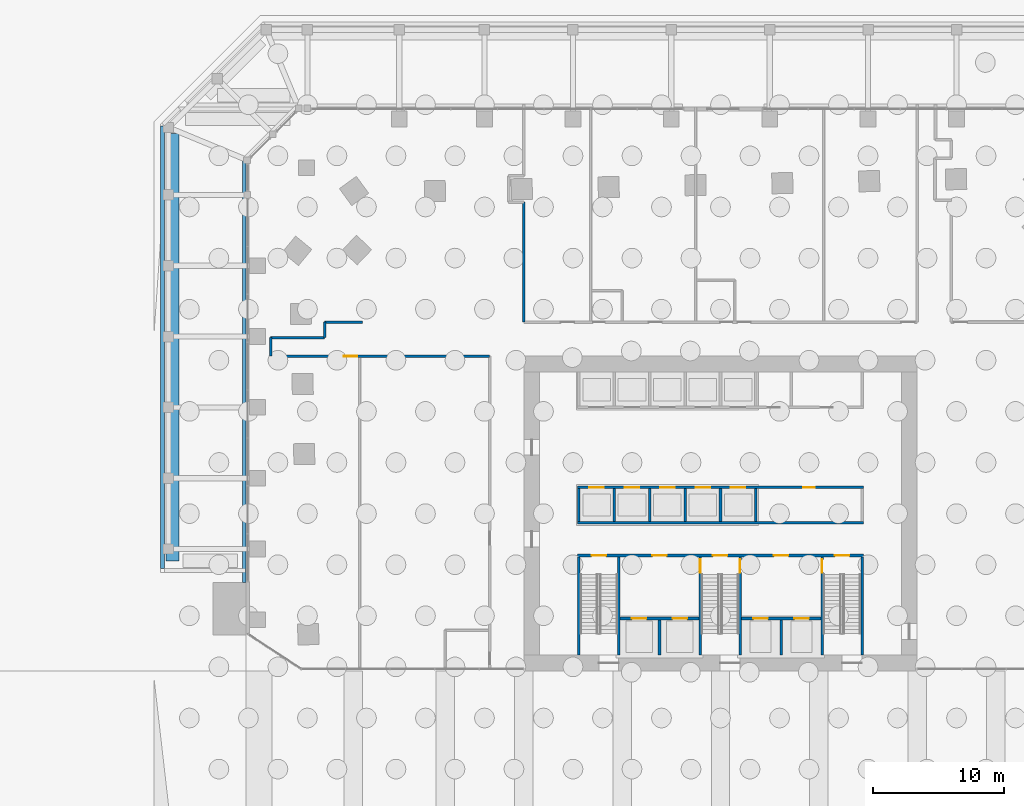
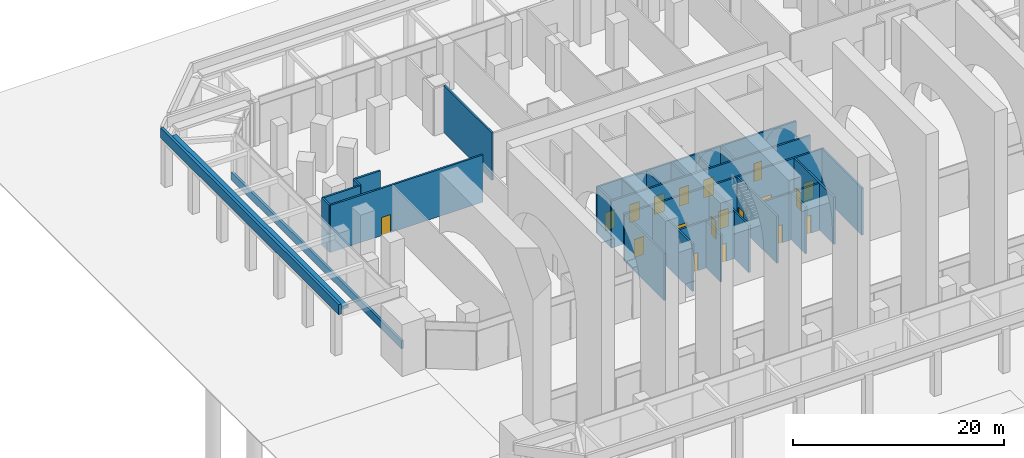
# One storey, part 39 of 46: 28 walls, 19 doors, 19 openings.
"""IFC4 building model written with IfcOpenShell, lengths in metres."""

from ifc_helpers import new_model, si_unit, direction, frame, frame_2d, origin, place, context, subcontext, project, spatial, rectangle, extrude, material, layer, layer_set, type_object, element, fill, save


model = new_model("IFC4")

# Units and contexts
model_context = context("Model", 3, precision=1e-05, world=origin(), true_north=direction((0.0, 1.0)))
body_context = subcontext(model_context, "Body", "Model", "MODEL_VIEW")
ifc_project = project(units=[si_unit("LENGTHUNIT", "METRE"), si_unit("AREAUNIT", "SQUARE_METRE"), si_unit("VOLUMEUNIT", "CUBIC_METRE"), si_unit("PLANEANGLEUNIT", "RADIAN"), si_unit("MASSUNIT", "GRAM", prefix="KILO")], contexts=[model_context])

# Site, building, storey
site_placement = place(None, origin())
site = spatial("IfcSite", under=ifc_project, at=site_placement, CompositionType="ELEMENT")
building_placement = place(site_placement, origin())
building = spatial("IfcBuilding", under=site, at=building_placement, Name="Mangrove Gate Tower", CompositionType="ELEMENT")
storey_placement = place(building_placement, origin())
storey = spatial("IfcBuildingStorey", under=building, at=storey_placement, Name="L00", CompositionType="ELEMENT", Elevation=0.0)

# Walls
ifc_material_1 = material(Name="Limestone", Category="masonry")
ifc_layer_1 = layer(ifc_material_1, 0.300048828125, Name="Limestone canopy parapet")
ifc_layer_set_1 = layer_set([ifc_layer_1], Name="Canopy parapet 300 limestone")
wall_type_1 = type_object("IfcWallType", Name="Canopy parapet 300 limestone", PredefinedType="PARAPET", material=ifc_layer_set_1)
wall_1_placement = place(storey_placement, frame((-42.550048828125, 29.568115234375, 5.5), z_axis=(0.0, 0.0, 1.0), x_axis=(0.0, -1.0, 0.0)))
element("IfcWall", 1, at=wall_1_placement, inside=storey, type_object=wall_type_1, Name="Canopy parapet W 1.2", PredefinedType="PARAPET", context=body_context, shape_type="SweptSolid", body=[
    extrude(rectangle(XDim=33.76806640625, YDim=0.300048828125, at=frame_2d((16.884033203125, 0.0))), origin(), (0.0, 0.0, 1.0), 1.14990234375),
])
ifc_material_2 = material(Name="Green roof substrate in aluminium tray", Category="aluminium")
ifc_layer_2 = layer(ifc_material_2, 1.0, Name="Planting bed")
ifc_layer_set_2 = layer_set([ifc_layer_2], Name="Canopy planter bed 1000x300")
wall_type_2 = type_object("IfcWallType", Name="Canopy planter bed 1000x300", PredefinedType="SOLIDWALL", material=ifc_layer_set_2)
wall_2_placement = place(storey_placement, frame((-41.800048828125, 28.968017578125, 5.5), z_axis=(0.0, 0.0, 1.0), x_axis=(0.0, -1.0, 0.0)))
element("IfcWall", 2, at=wall_2_placement, inside=storey, type_object=wall_type_2, Name="CANOPY PLANTING W 1.2", PredefinedType="SOLIDWALL", context=body_context, shape_type="SweptSolid", body=[
    extrude(rectangle(XDim=32.568115234375, YDim=1.0, at=frame_2d((16.2841796875, 0.0))), origin(), (0.0, 0.0, 1.0), 0.300048828125),
])
ifc_material_3 = material(Name="Concrete C70/85", Category="concrete")
ifc_layer_3 = layer(ifc_material_3, 0.199951171875)
ifc_layer_set_3 = layer_set([ifc_layer_3], Name="Core shaft wall 200 C70/85")
wall_type_3 = type_object("IfcWallType", Name="Core shaft wall 200 C70/85", PredefinedType="SHEAR", material=ifc_layer_set_3)
wall_3_placement = place(storey_placement, frame((-10.89990234375, -0.699951171875, 0.0), z_axis=(0.0, 0.0, 1.0), x_axis=(1.0, 0.0, 0.0)))
element("IfcWall", 3, at=wall_3_placement, inside=storey, type_object=wall_type_3, Name="WALL-L00-CORE-6", PredefinedType="SHEAR", context=body_context, shape_type="SweptSolid", body=[
    extrude(rectangle(XDim=21.7998046875, YDim=0.199951171875, at=frame_2d((10.89990234375, 0.0))), origin(), (0.0, 0.0, 1.0), 5.449951171875),
])

# Wall, openings, doors
wall_4_placement = place(storey_placement, frame((-10.89990234375, 2.0, 0.0), z_axis=(0.0, 0.0, 1.0), x_axis=(1.0, 0.0, 0.0)))
wall_4 = element("IfcWall", 4, at=wall_4_placement, inside=storey, type_object=wall_type_3, Name="WALL-L00-CORE-7", PredefinedType="SHEAR", context=body_context, shape_type="SweptSolid", body=[
    extrude(rectangle(XDim=21.7998046875, YDim=0.199951171875, at=frame_2d((10.89990234375, 0.0))), origin(), (0.0, 0.0, 1.0), 5.449951171875),
])
opening_1_placement = place(wall_4_placement, frame((0.89990234375, 0.0, 0.0)))
opening_1 = element("IfcOpeningElement", 5, at=opening_1_placement, cuts=wall_4, Name="Opening LD", PredefinedType="OPENING", context=body_context, shape_type="SweptSolid", body=[
    extrude(rectangle(XDim=1.10009765625, YDim=2.10009765625, at=frame_2d((0.550048828125, 1.050048828125))), frame((0.0, 0.10986328125, 0.0), z_axis=(0.0, -1.0, 0.0), x_axis=(1.0, 0.0, 0.0)), (0.0, 0.0, 1.0), 0.219970703125),
])
opening_2_placement = place(wall_4_placement, frame((3.60009765625, 0.0, 0.0)))
opening_2 = element("IfcOpeningElement", 6, at=opening_2_placement, cuts=wall_4, Name="Opening LD", PredefinedType="OPENING", context=body_context, shape_type="SweptSolid", body=[
    extrude(rectangle(XDim=1.10009765625, YDim=2.10009765625, at=frame_2d((0.550048828125, 1.050048828125))), frame((0.0, 0.10986328125, 0.0), z_axis=(0.0, -1.0, 0.0), x_axis=(1.0, 0.0, 0.0)), (0.0, 0.0, 1.0), 0.219970703125),
])
opening_3_placement = place(wall_4_placement, frame((6.300048828125, 0.0, 0.0)))
opening_3 = element("IfcOpeningElement", 7, at=opening_3_placement, cuts=wall_4, Name="Opening LD", PredefinedType="OPENING", context=body_context, shape_type="SweptSolid", body=[
    extrude(rectangle(XDim=1.10009765625, YDim=2.10009765625, at=frame_2d((0.550048828125, 1.050048828125))), frame((0.0, 0.10986328125, 0.0), z_axis=(0.0, -1.0, 0.0), x_axis=(1.0, 0.0, 0.0)), (0.0, 0.0, 1.0), 0.219970703125),
])
opening_4_placement = place(wall_4_placement, frame((9.0, 0.0, 0.0)))
opening_4 = element("IfcOpeningElement", 8, at=opening_4_placement, cuts=wall_4, Name="Opening LD", PredefinedType="OPENING", context=body_context, shape_type="SweptSolid", body=[
    extrude(rectangle(XDim=1.10009765625, YDim=2.10009765625, at=frame_2d((0.550048828125, 1.050048828125))), frame((0.0, 0.10986328125, 0.0), z_axis=(0.0, -1.0, 0.0), x_axis=(1.0, 0.0, 0.0)), (0.0, 0.0, 1.0), 0.219970703125),
])
opening_5_placement = place(wall_4_placement, frame((11.699951171875, 0.0, 0.0)))
opening_5 = element("IfcOpeningElement", 9, at=opening_5_placement, cuts=wall_4, Name="Opening LD", PredefinedType="OPENING", context=body_context, shape_type="SweptSolid", body=[
    extrude(rectangle(XDim=1.10009765625, YDim=2.10009765625, at=frame_2d((0.550048828125, 1.050048828125))), frame((0.0, 0.10986328125, 0.0), z_axis=(0.0, -1.0, 0.0), x_axis=(1.0, 0.0, 0.0)), (0.0, 0.0, 1.0), 0.219970703125),
])
opening_6_placement = place(wall_4_placement, frame((17.199951171875, 0.0, 0.0)))
opening_6 = element("IfcOpeningElement", 10, at=opening_6_placement, cuts=wall_4, Name="Opening RD", PredefinedType="OPENING", context=body_context, shape_type="SweptSolid", body=[
    extrude(rectangle(XDim=0.89990234375, YDim=2.10009765625, at=frame_2d((0.449951171875, 1.050048828125))), frame((0.0, 0.10986328125, 0.0), z_axis=(0.0, -1.0, 0.0), x_axis=(1.0, 0.0, 0.0)), (0.0, 0.0, 1.0), 0.219970703125),
])
ifc_material_4 = material(Name="Stainless steel 316", Category="steel")
door_type_1 = type_object("IfcDoorType", Name="Lift landing door 1100x2100", OperationType="SLIDING_TO_LEFT", PredefinedType="DOOR", material=ifc_material_4)
door_1_placement = place(opening_1_placement, origin())
door_1 = element("IfcDoor", 11, at=door_1_placement, inside=storey, type_object=door_type_1, Name="Landing door LD P01", OperationType="SLIDING_TO_LEFT", OverallHeight=2.10009765625, OverallWidth=1.10009765625, PredefinedType="DOOR", context=body_context, shape_type="SweptSolid", body=[
    extrude(rectangle(XDim=1.10009765625, YDim=2.10009765625, at=frame_2d((0.550048828125, 1.050048828125))), frame((0.0, 0.02490234375, 0.0), z_axis=(0.0, -1.0, 0.0), x_axis=(1.0, 0.0, 0.0)), (0.0, 0.0, 1.0), 0.050048828125),
])
fill(opening_1, door_1)
door_2_placement = place(opening_2_placement, origin())
door_2 = element("IfcDoor", 12, at=door_2_placement, inside=storey, type_object=door_type_1, Name="Landing door LD P02", OperationType="SLIDING_TO_LEFT", OverallHeight=2.10009765625, OverallWidth=1.10009765625, PredefinedType="DOOR", context=body_context, shape_type="SweptSolid", body=[
    extrude(rectangle(XDim=1.10009765625, YDim=2.10009765625, at=frame_2d((0.550048828125, 1.050048828125))), frame((0.0, 0.02490234375, 0.0), z_axis=(0.0, -1.0, 0.0), x_axis=(1.0, 0.0, 0.0)), (0.0, 0.0, 1.0), 0.050048828125),
])
fill(opening_2, door_2)
door_3_placement = place(opening_3_placement, origin())
door_3 = element("IfcDoor", 13, at=door_3_placement, inside=storey, type_object=door_type_1, Name="Landing door LD P03", OperationType="SLIDING_TO_LEFT", OverallHeight=2.10009765625, OverallWidth=1.10009765625, PredefinedType="DOOR", context=body_context, shape_type="SweptSolid", body=[
    extrude(rectangle(XDim=1.10009765625, YDim=2.10009765625, at=frame_2d((0.550048828125, 1.050048828125))), frame((0.0, 0.02490234375, 0.0), z_axis=(0.0, -1.0, 0.0), x_axis=(1.0, 0.0, 0.0)), (0.0, 0.0, 1.0), 0.050048828125),
])
fill(opening_3, door_3)
door_4_placement = place(opening_4_placement, origin())
door_4 = element("IfcDoor", 14, at=door_4_placement, inside=storey, type_object=door_type_1, Name="Landing door LD P04", OperationType="SLIDING_TO_LEFT", OverallHeight=2.10009765625, OverallWidth=1.10009765625, PredefinedType="DOOR", context=body_context, shape_type="SweptSolid", body=[
    extrude(rectangle(XDim=1.10009765625, YDim=2.10009765625, at=frame_2d((0.550048828125, 1.050048828125))), frame((0.0, 0.02490234375, 0.0), z_axis=(0.0, -1.0, 0.0), x_axis=(1.0, 0.0, 0.0)), (0.0, 0.0, 1.0), 0.050048828125),
])
fill(opening_4, door_4)
door_5_placement = place(opening_5_placement, origin())
door_5 = element("IfcDoor", 15, at=door_5_placement, inside=storey, type_object=door_type_1, Name="Landing door LD P05", OperationType="SLIDING_TO_LEFT", OverallHeight=2.10009765625, OverallWidth=1.10009765625, PredefinedType="DOOR", context=body_context, shape_type="SweptSolid", body=[
    extrude(rectangle(XDim=1.10009765625, YDim=2.10009765625, at=frame_2d((0.550048828125, 1.050048828125))), frame((0.0, 0.02490234375, 0.0), z_axis=(0.0, -1.0, 0.0), x_axis=(1.0, 0.0, 0.0)), (0.0, 0.0, 1.0), 0.050048828125),
])
fill(opening_5, door_5)
ifc_material_5 = material(Name="Fire-rated steel door set", Category="steel")
door_type_2 = type_object("IfcDoorType", Name="Riser door FD30S 900x2100", OperationType="SINGLE_SWING_LEFT", PredefinedType="DOOR", material=ifc_material_5)
door_6_placement = place(opening_6_placement, origin())
door_6 = element("IfcDoor", 16, at=door_6_placement, inside=storey, type_object=door_type_2, Name="Riser door Electrical room", OperationType="SINGLE_SWING_LEFT", OverallHeight=2.10009765625, OverallWidth=0.89990234375, PredefinedType="DOOR", context=body_context, shape_type="SweptSolid", body=[
    extrude(rectangle(XDim=0.89990234375, YDim=2.10009765625, at=frame_2d((0.449951171875, 1.050048828125))), frame((0.0, 0.02490234375, 0.0), z_axis=(0.0, -1.0, 0.0), x_axis=(1.0, 0.0, 0.0)), (0.0, 0.0, 1.0), 0.050048828125),
])
fill(opening_6, door_6)

wall_5_placement = place(storey_placement, frame((-7.64990234375, -8.0, 0.0), z_axis=(0.0, 0.0, 1.0), x_axis=(1.0, 0.0, 0.0)))
wall_5 = element("IfcWall", 17, at=wall_5_placement, inside=storey, type_object=wall_type_3, Name="WALL-L00-CORE-15", PredefinedType="SHEAR", context=body_context, shape_type="SweptSolid", body=[
    extrude(rectangle(XDim=6.0, YDim=0.199951171875, at=frame_2d((3.0, 0.0))), origin(), (0.0, 0.0, 1.0), 5.449951171875),
])
opening_7_placement = place(wall_5_placement, frame((0.89990234375, 0.0, 0.0)))
opening_7 = element("IfcOpeningElement", 18, at=opening_7_placement, cuts=wall_5, Name="Opening LD", PredefinedType="OPENING", context=body_context, shape_type="SweptSolid", body=[
    extrude(rectangle(XDim=1.10009765625, YDim=2.10009765625, at=frame_2d((0.550048828125, 1.050048828125))), frame((0.0, 0.10986328125, 0.0), z_axis=(0.0, -1.0, 0.0), x_axis=(1.0, 0.0, 0.0)), (0.0, 0.0, 1.0), 0.219970703125),
])
opening_8_placement = place(wall_5_placement, frame((4.0, 0.0, 0.0)))
opening_8 = element("IfcOpeningElement", 19, at=opening_8_placement, cuts=wall_5, Name="Opening LD", PredefinedType="OPENING", context=body_context, shape_type="SweptSolid", body=[
    extrude(rectangle(XDim=1.10009765625, YDim=2.10009765625, at=frame_2d((0.550048828125, 1.050048828125))), frame((0.0, 0.10986328125, 0.0), z_axis=(0.0, -1.0, 0.0), x_axis=(1.0, 0.0, 0.0)), (0.0, 0.0, 1.0), 0.219970703125),
])
door_7_placement = place(opening_7_placement, origin())
door_7 = element("IfcDoor", 20, at=door_7_placement, inside=storey, type_object=door_type_1, Name="Landing door LD SVL1", OperationType="SLIDING_TO_LEFT", OverallHeight=2.10009765625, OverallWidth=1.10009765625, PredefinedType="DOOR", context=body_context, shape_type="SweptSolid", body=[
    extrude(rectangle(XDim=1.10009765625, YDim=2.10009765625, at=frame_2d((0.550048828125, 1.050048828125))), frame((0.0, 0.02490234375, 0.0), z_axis=(0.0, -1.0, 0.0), x_axis=(1.0, 0.0, 0.0)), (0.0, 0.0, 1.0), 0.050048828125),
])
fill(opening_7, door_7)
door_8_placement = place(opening_8_placement, origin())
door_8 = element("IfcDoor", 21, at=door_8_placement, inside=storey, type_object=door_type_1, Name="Landing door LD SVL2", OperationType="SLIDING_TO_LEFT", OverallHeight=2.10009765625, OverallWidth=1.10009765625, PredefinedType="DOOR", context=body_context, shape_type="SweptSolid", body=[
    extrude(rectangle(XDim=1.10009765625, YDim=2.10009765625, at=frame_2d((0.550048828125, 1.050048828125))), frame((0.0, 0.02490234375, 0.0), z_axis=(0.0, -1.0, 0.0), x_axis=(1.0, 0.0, 0.0)), (0.0, 0.0, 1.0), 0.050048828125),
])
fill(opening_8, door_8)

# Wall
wall_6_placement = place(storey_placement, frame((-4.64990234375, -10.800048828125, 0.0), z_axis=(0.0, 0.0, 1.0), x_axis=(0.0, 1.0, 0.0)))
element("IfcWall", 22, at=wall_6_placement, inside=storey, type_object=wall_type_3, Name="WALL-L00-CORE-16", PredefinedType="SHEAR", context=body_context, shape_type="SweptSolid", body=[
    extrude(rectangle(XDim=2.699951171875, YDim=0.199951171875, at=frame_2d((1.35009765625, 0.0))), origin(), (0.0, 0.0, 1.0), 5.449951171875),
])

# Wall, openings, doors
wall_7_placement = place(storey_placement, frame((1.60009765625, -8.0, 0.0), z_axis=(0.0, 0.0, 1.0), x_axis=(1.0, 0.0, 0.0)))
wall_7 = element("IfcWall", 23, at=wall_7_placement, inside=storey, type_object=wall_type_3, Name="WALL-L00-CORE-17", PredefinedType="SHEAR", context=body_context, shape_type="SweptSolid", body=[
    extrude(rectangle(XDim=6.0498046875, YDim=0.199951171875, at=frame_2d((3.02490234375, 0.0))), origin(), (0.0, 0.0, 1.0), 5.449951171875),
])
opening_9_placement = place(wall_7_placement, frame((0.91259765625, 0.0, 0.0)))
opening_9 = element("IfcOpeningElement", 24, at=opening_9_placement, cuts=wall_7, Name="Opening LD", PredefinedType="OPENING", context=body_context, shape_type="SweptSolid", body=[
    extrude(rectangle(XDim=1.10009765625, YDim=2.10009765625, at=frame_2d((0.550048828125, 1.050048828125))), frame((0.0, 0.10986328125, 0.0), z_axis=(0.0, -1.0, 0.0), x_axis=(1.0, 0.0, 0.0)), (0.0, 0.0, 1.0), 0.219970703125),
])
opening_10_placement = place(wall_7_placement, frame((4.03759765625, 0.0, 0.0)))
opening_10 = element("IfcOpeningElement", 25, at=opening_10_placement, cuts=wall_7, Name="Opening LD", PredefinedType="OPENING", context=body_context, shape_type="SweptSolid", body=[
    extrude(rectangle(XDim=1.10009765625, YDim=2.10009765625, at=frame_2d((0.550048828125, 1.050048828125))), frame((0.0, 0.10986328125, 0.0), z_axis=(0.0, -1.0, 0.0), x_axis=(1.0, 0.0, 0.0)), (0.0, 0.0, 1.0), 0.219970703125),
])
door_9_placement = place(opening_9_placement, origin())
door_9 = element("IfcDoor", 26, at=door_9_placement, inside=storey, type_object=door_type_1, Name="Landing door LD FFL1", OperationType="SLIDING_TO_LEFT", OverallHeight=2.10009765625, OverallWidth=1.10009765625, PredefinedType="DOOR", context=body_context, shape_type="SweptSolid", body=[
    extrude(rectangle(XDim=1.10009765625, YDim=2.10009765625, at=frame_2d((0.550048828125, 1.050048828125))), frame((0.0, 0.02490234375, 0.0), z_axis=(0.0, -1.0, 0.0), x_axis=(1.0, 0.0, 0.0)), (0.0, 0.0, 1.0), 0.050048828125),
])
fill(opening_9, door_9)
door_10_placement = place(opening_10_placement, origin())
door_10 = element("IfcDoor", 27, at=door_10_placement, inside=storey, type_object=door_type_1, Name="Landing door LD FFL2", OperationType="SLIDING_TO_LEFT", OverallHeight=2.10009765625, OverallWidth=1.10009765625, PredefinedType="DOOR", context=body_context, shape_type="SweptSolid", body=[
    extrude(rectangle(XDim=1.10009765625, YDim=2.10009765625, at=frame_2d((0.550048828125, 1.050048828125))), frame((0.0, 0.02490234375, 0.0), z_axis=(0.0, -1.0, 0.0), x_axis=(1.0, 0.0, 0.0)), (0.0, 0.0, 1.0), 0.050048828125),
])
fill(opening_10, door_10)

# Walls
wall_8_placement = place(storey_placement, frame((4.625, -10.800048828125, 0.0), z_axis=(0.0, 0.0, 1.0), x_axis=(0.0, 1.0, 0.0)))
element("IfcWall", 28, at=wall_8_placement, inside=storey, type_object=wall_type_3, Name="WALL-L00-CORE-18", PredefinedType="SHEAR", context=body_context, shape_type="SweptSolid", body=[
    extrude(rectangle(XDim=2.699951171875, YDim=0.199951171875, at=frame_2d((1.35009765625, 0.0))), origin(), (0.0, 0.0, 1.0), 5.449951171875),
])
for number, where, z_axis, x_axis, name in (
    (29, (-10.800048828125, -0.60009765625, 0.0), (0.0, 0.0, 1.0), (0.0, 1.0, 0.0), "WALL-L00-CORE-19"),
    (30, (-8.10009765625, -0.60009765625, 0.0), (0.0, 0.0, 1.0), (0.0, 1.0, 0.0), "WALL-L00-CORE-20"),
    (31, (-5.39990234375, -0.60009765625, 0.0), (0.0, 0.0, 1.0), (0.0, 1.0, 0.0), "WALL-L00-CORE-21"),
    (32, (-2.699951171875, -0.60009765625, 0.0), (0.0, 0.0, 1.0), (0.0, 1.0, 0.0), "WALL-L00-CORE-22"),
    (33, (0.0, -0.60009765625, 0.0), (0.0, 0.0, 1.0), (0.0, 1.0, 0.0), "WALL-L00-CORE-23"),
    (34, (2.699951171875, -0.60009765625, 0.0), (0.0, 0.0, 1.0), (0.0, 1.0, 0.0), "WALL-L00-CORE-24"),
):
    element("IfcWall", number, at=place(storey_placement, frame(where, z_axis=z_axis, x_axis=x_axis)), inside=storey, type_object=wall_type_3, Name=name, PredefinedType="SHEAR", context=body_context, shape_type="SweptSolid", body=[
        extrude(rectangle(XDim=2.5, YDim=0.199951171875, at=frame_2d((1.25, 0.0))), origin(), (0.0, 0.0, 1.0), 5.449951171875),
    ])

# Wall, openings, doors
ifc_material_6 = material(Name="Concrete C70/85", Category="concrete")
ifc_layer_4 = layer(ifc_material_6, 0.199951171875)
ifc_layer_set_4 = layer_set([ifc_layer_4], Name="Core stair wall 200 C70/85")
wall_type_4 = type_object("IfcWallType", Name="Core stair wall 200 C70/85", PredefinedType="SHEAR", material=ifc_layer_set_4)
wall_9_placement = place(storey_placement, frame((-10.89990234375, -3.199951171875, 0.0), z_axis=(0.0, 0.0, 1.0), x_axis=(1.0, 0.0, 0.0)))
wall_9 = element("IfcWall", 35, at=wall_9_placement, inside=storey, type_object=wall_type_4, Name="WALL-L00-CORE-5", PredefinedType="SHEAR", context=body_context, shape_type="SweptSolid", body=[
    extrude(rectangle(XDim=21.7998046875, YDim=0.199951171875, at=frame_2d((10.89990234375, 0.0))), origin(), (0.0, 0.0, 1.0), 5.449951171875),
])
opening_11_placement = place(wall_9_placement, frame((1.074951171875, 0.0, 0.0)))
opening_11 = element("IfcOpeningElement", 36, at=opening_11_placement, cuts=wall_9, Name="Opening STD11", PredefinedType="OPENING", context=body_context, shape_type="SweptSolid", body=[
    extrude(rectangle(XDim=1.10009765625, YDim=2.10009765625, at=frame_2d((0.550048828125, 1.050048828125))), frame((0.0, 0.10986328125, 0.0), z_axis=(0.0, -1.0, 0.0), x_axis=(1.0, 0.0, 0.0)), (0.0, 0.0, 1.0), 0.219970703125),
])
opening_12_placement = place(wall_9_placement, frame((10.324951171875, 0.0, 0.0)))
opening_12 = element("IfcOpeningElement", 37, at=opening_12_placement, cuts=wall_9, Name="Opening STD11", PredefinedType="OPENING", context=body_context, shape_type="SweptSolid", body=[
    extrude(rectangle(XDim=1.10009765625, YDim=2.10009765625, at=frame_2d((0.550048828125, 1.050048828125))), frame((0.0, 0.10986328125, 0.0), z_axis=(0.0, -1.0, 0.0), x_axis=(1.0, 0.0, 0.0)), (0.0, 0.0, 1.0), 0.219970703125),
])
opening_13_placement = place(wall_9_placement, frame((19.625, 0.0, 0.0)))
opening_13 = element("IfcOpeningElement", 38, at=opening_13_placement, cuts=wall_9, Name="Opening STD11", PredefinedType="OPENING", context=body_context, shape_type="SweptSolid", body=[
    extrude(rectangle(XDim=1.10009765625, YDim=2.10009765625, at=frame_2d((0.550048828125, 1.050048828125))), frame((0.0, 0.10986328125, 0.0), z_axis=(0.0, -1.0, 0.0), x_axis=(1.0, 0.0, 0.0)), (0.0, 0.0, 1.0), 0.219970703125),
])
opening_14_placement = place(wall_9_placement, frame((5.699951171875, 0.0, 0.0)))
opening_14 = element("IfcOpeningElement", 39, at=opening_14_placement, cuts=wall_9, Name="Opening FL", PredefinedType="OPENING", context=body_context, shape_type="SweptSolid", body=[
    extrude(rectangle(XDim=1.10009765625, YDim=2.10009765625, at=frame_2d((0.550048828125, 1.050048828125))), frame((0.0, 0.10986328125, 0.0), z_axis=(0.0, -1.0, 0.0), x_axis=(1.0, 0.0, 0.0)), (0.0, 0.0, 1.0), 0.219970703125),
])
opening_15_placement = place(wall_9_placement, frame((14.97509765625, 0.0, 0.0)))
opening_15 = element("IfcOpeningElement", 40, at=opening_15_placement, cuts=wall_9, Name="Opening FL", PredefinedType="OPENING", context=body_context, shape_type="SweptSolid", body=[
    extrude(rectangle(XDim=1.10009765625, YDim=2.10009765625, at=frame_2d((0.550048828125, 1.050048828125))), frame((0.0, 0.10986328125, 0.0), z_axis=(0.0, -1.0, 0.0), x_axis=(1.0, 0.0, 0.0)), (0.0, 0.0, 1.0), 0.219970703125),
])
ifc_material_7 = material(Name="Fire-rated steel door set", Category="steel")
door_type_3 = type_object("IfcDoorType", Name="Lobby door FD60 1100x2100", OperationType="SINGLE_SWING_LEFT", PredefinedType="DOOR", material=ifc_material_7)
door_11_placement = place(opening_14_placement, origin())
door_11 = element("IfcDoor", 41, at=door_11_placement, inside=storey, type_object=door_type_3, Name="Lobby door service lobby", OperationType="SINGLE_SWING_LEFT", OverallHeight=2.10009765625, OverallWidth=1.10009765625, PredefinedType="DOOR", context=body_context, shape_type="SweptSolid", body=[
    extrude(rectangle(XDim=1.10009765625, YDim=2.10009765625, at=frame_2d((0.550048828125, 1.050048828125))), frame((0.0, 0.02490234375, 0.0), z_axis=(0.0, -1.0, 0.0), x_axis=(1.0, 0.0, 0.0)), (0.0, 0.0, 1.0), 0.050048828125),
])
fill(opening_14, door_11)
door_12_placement = place(opening_15_placement, origin())
door_12 = element("IfcDoor", 42, at=door_12_placement, inside=storey, type_object=door_type_3, Name="Lobby door fire-fighting lobby", OperationType="SINGLE_SWING_LEFT", OverallHeight=2.10009765625, OverallWidth=1.10009765625, PredefinedType="DOOR", context=body_context, shape_type="SweptSolid", body=[
    extrude(rectangle(XDim=1.10009765625, YDim=2.10009765625, at=frame_2d((0.550048828125, 1.050048828125))), frame((0.0, 0.02490234375, 0.0), z_axis=(0.0, -1.0, 0.0), x_axis=(1.0, 0.0, 0.0)), (0.0, 0.0, 1.0), 0.050048828125),
])
fill(opening_15, door_12)
ifc_material_8 = material(Name="Fire-rated steel door set", Category="steel")
door_type_4 = type_object("IfcDoorType", Name="Stair door FD60 1100x2100", OperationType="SINGLE_SWING_RIGHT", PredefinedType="DOOR", material=ifc_material_8)
door_13_placement = place(opening_11_placement, origin())
door_13 = element("IfcDoor", 43, at=door_13_placement, inside=storey, type_object=door_type_4, Name="Stair door Stair 1", OperationType="SINGLE_SWING_RIGHT", OverallHeight=2.10009765625, OverallWidth=1.10009765625, PredefinedType="DOOR", context=body_context, shape_type="SweptSolid", body=[
    extrude(rectangle(XDim=1.10009765625, YDim=2.10009765625, at=frame_2d((0.550048828125, 1.050048828125))), frame((0.0, 0.02490234375, 0.0), z_axis=(0.0, -1.0, 0.0), x_axis=(1.0, 0.0, 0.0)), (0.0, 0.0, 1.0), 0.050048828125),
])
fill(opening_11, door_13)
door_14_placement = place(opening_12_placement, origin())
door_14 = element("IfcDoor", 44, at=door_14_placement, inside=storey, type_object=door_type_4, Name="Stair door Stair 2", OperationType="SINGLE_SWING_RIGHT", OverallHeight=2.10009765625, OverallWidth=1.10009765625, PredefinedType="DOOR", context=body_context, shape_type="SweptSolid", body=[
    extrude(rectangle(XDim=1.10009765625, YDim=2.10009765625, at=frame_2d((0.550048828125, 1.050048828125))), frame((0.0, 0.02490234375, 0.0), z_axis=(0.0, -1.0, 0.0), x_axis=(1.0, 0.0, 0.0)), (0.0, 0.0, 1.0), 0.050048828125),
])
fill(opening_12, door_14)
door_15_placement = place(opening_13_placement, origin())
door_15 = element("IfcDoor", 45, at=door_15_placement, inside=storey, type_object=door_type_4, Name="Stair door Stair 3", OperationType="SINGLE_SWING_RIGHT", OverallHeight=2.10009765625, OverallWidth=1.10009765625, PredefinedType="DOOR", context=body_context, shape_type="SweptSolid", body=[
    extrude(rectangle(XDim=1.10009765625, YDim=2.10009765625, at=frame_2d((0.550048828125, 1.050048828125))), frame((0.0, 0.02490234375, 0.0), z_axis=(0.0, -1.0, 0.0), x_axis=(1.0, 0.0, 0.0)), (0.0, 0.0, 1.0), 0.050048828125),
])
fill(opening_13, door_15)

# Walls
for number, where, z_axis, x_axis, name in (
    (46, (-10.800048828125, -10.800048828125, 0.0), (0.0, 0.0, 1.0), (0.0, 1.0, 0.0), "WALL-L00-CORE-9"),
    (47, (-7.75, -10.800048828125, 0.0), (0.0, 0.0, 1.0), (0.0, 1.0, 0.0), "WALL-L00-CORE-10"),
):
    element("IfcWall", number, at=place(storey_placement, frame(where, z_axis=z_axis, x_axis=x_axis)), inside=storey, type_object=wall_type_4, Name=name, PredefinedType="SHEAR", context=body_context, shape_type="SweptSolid", body=[
        extrude(rectangle(XDim=7.5, YDim=0.199951171875, at=frame_2d((3.75, 0.0))), origin(), (0.0, 0.0, 1.0), 5.449951171875),
    ])

# Wall, opening, door
wall_10_placement = place(storey_placement, frame((-1.550048828125, -10.800048828125, 0.0), z_axis=(0.0, 0.0, 1.0), x_axis=(0.0, 1.0, 0.0)))
wall_10 = element("IfcWall", 48, at=wall_10_placement, inside=storey, type_object=wall_type_4, Name="WALL-L00-CORE-11", PredefinedType="SHEAR", context=body_context, shape_type="SweptSolid", body=[
    extrude(rectangle(XDim=7.5, YDim=0.199951171875, at=frame_2d((3.75, 0.0))), origin(), (0.0, 0.0, 1.0), 5.449951171875),
])
opening_16_placement = place(wall_10_placement, frame((6.300048828125, 0.0, 0.0)))
opening_16 = element("IfcOpeningElement", 49, at=opening_16_placement, cuts=wall_10, Name="Opening STD10", PredefinedType="OPENING", context=body_context, shape_type="SweptSolid", body=[
    extrude(rectangle(XDim=1.0, YDim=2.10009765625, at=frame_2d((0.5, 1.050048828125))), frame((0.0, 0.10986328125, 0.0), z_axis=(0.0, -1.0, 0.0), x_axis=(1.0, 0.0, 0.0)), (0.0, 0.0, 1.0), 0.219970703125),
])
ifc_material_9 = material(Name="Fire-rated steel door set", Category="steel")
door_type_5 = type_object("IfcDoorType", Name="Stair door FD60 1000x2100", OperationType="SINGLE_SWING_RIGHT", PredefinedType="DOOR", material=ifc_material_9)
door_16_placement = place(opening_16_placement, origin())
door_16 = element("IfcDoor", 50, at=door_16_placement, inside=storey, type_object=door_type_5, Name="Stair door Stair 2 from service lobby", OperationType="SINGLE_SWING_RIGHT", OverallHeight=2.10009765625, OverallWidth=1.0, PredefinedType="DOOR", context=body_context, shape_type="SweptSolid", body=[
    extrude(rectangle(XDim=1.0, YDim=2.10009765625, at=frame_2d((0.5, 1.050048828125))), frame((0.0, 0.02490234375, 0.0), z_axis=(0.0, -1.0, 0.0), x_axis=(1.0, 0.0, 0.0)), (0.0, 0.0, 1.0), 0.050048828125),
])
fill(opening_16, door_16)

wall_11_placement = place(storey_placement, frame((1.5, -10.800048828125, 0.0), z_axis=(0.0, 0.0, 1.0), x_axis=(0.0, 1.0, 0.0)))
wall_11 = element("IfcWall", 51, at=wall_11_placement, inside=storey, type_object=wall_type_4, Name="WALL-L00-CORE-12", PredefinedType="SHEAR", context=body_context, shape_type="SweptSolid", body=[
    extrude(rectangle(XDim=7.5, YDim=0.199951171875, at=frame_2d((3.75, 0.0))), origin(), (0.0, 0.0, 1.0), 5.449951171875),
])
opening_17_placement = place(wall_11_placement, frame((6.300048828125, 0.0, 0.0)))
opening_17 = element("IfcOpeningElement", 52, at=opening_17_placement, cuts=wall_11, Name="Opening STD10", PredefinedType="OPENING", context=body_context, shape_type="SweptSolid", body=[
    extrude(rectangle(XDim=1.0, YDim=2.10009765625, at=frame_2d((0.5, 1.050048828125))), frame((0.0, 0.10986328125, 0.0), z_axis=(0.0, -1.0, 0.0), x_axis=(1.0, 0.0, 0.0)), (0.0, 0.0, 1.0), 0.219970703125),
])
door_17_placement = place(opening_17_placement, origin())
door_17 = element("IfcDoor", 53, at=door_17_placement, inside=storey, type_object=door_type_5, Name="Stair door Stair 2 from fire-fighting lobby", OperationType="SINGLE_SWING_RIGHT", OverallHeight=2.10009765625, OverallWidth=1.0, PredefinedType="DOOR", context=body_context, shape_type="SweptSolid", body=[
    extrude(rectangle(XDim=1.0, YDim=2.10009765625, at=frame_2d((0.5, 1.050048828125))), frame((0.0, 0.02490234375, 0.0), z_axis=(0.0, -1.0, 0.0), x_axis=(1.0, 0.0, 0.0)), (0.0, 0.0, 1.0), 0.050048828125),
])
fill(opening_17, door_17)

wall_12_placement = place(storey_placement, frame((7.75, -10.800048828125, 0.0), z_axis=(0.0, 0.0, 1.0), x_axis=(0.0, 1.0, 0.0)))
wall_12 = element("IfcWall", 54, at=wall_12_placement, inside=storey, type_object=wall_type_4, Name="WALL-L00-CORE-13", PredefinedType="SHEAR", context=body_context, shape_type="SweptSolid", body=[
    extrude(rectangle(XDim=7.5, YDim=0.199951171875, at=frame_2d((3.75, 0.0))), origin(), (0.0, 0.0, 1.0), 5.449951171875),
])
opening_18_placement = place(wall_12_placement, frame((6.300048828125, 0.0, 0.0)))
opening_18 = element("IfcOpeningElement", 55, at=opening_18_placement, cuts=wall_12, Name="Opening STD10", PredefinedType="OPENING", context=body_context, shape_type="SweptSolid", body=[
    extrude(rectangle(XDim=1.0, YDim=2.10009765625, at=frame_2d((0.5, 1.050048828125))), frame((0.0, 0.10986328125, 0.0), z_axis=(0.0, -1.0, 0.0), x_axis=(1.0, 0.0, 0.0)), (0.0, 0.0, 1.0), 0.219970703125),
])
door_18_placement = place(opening_18_placement, origin())
door_18 = element("IfcDoor", 56, at=door_18_placement, inside=storey, type_object=door_type_5, Name="Stair door Stair 3 from fire-fighting lobby", OperationType="SINGLE_SWING_RIGHT", OverallHeight=2.10009765625, OverallWidth=1.0, PredefinedType="DOOR", context=body_context, shape_type="SweptSolid", body=[
    extrude(rectangle(XDim=1.0, YDim=2.10009765625, at=frame_2d((0.5, 1.050048828125))), frame((0.0, 0.02490234375, 0.0), z_axis=(0.0, -1.0, 0.0), x_axis=(1.0, 0.0, 0.0)), (0.0, 0.0, 1.0), 0.050048828125),
])
fill(opening_18, door_18)

# Wall
wall_13_placement = place(storey_placement, frame((10.800048828125, -10.800048828125, 0.0), z_axis=(0.0, 0.0, 1.0), x_axis=(0.0, 1.0, 0.0)))
element("IfcWall", 57, at=wall_13_placement, inside=storey, type_object=wall_type_4, Name="WALL-L00-CORE-14", PredefinedType="SHEAR", context=body_context, shape_type="SweptSolid", body=[
    extrude(rectangle(XDim=7.5, YDim=0.199951171875, at=frame_2d((3.75, 0.0))), origin(), (0.0, 0.0, 1.0), 5.449951171875),
])

# Wall, opening, door
ifc_material_10 = material(Name="Gypsum board on steel stud, EI 60", Category="steel")
ifc_layer_5 = layer(ifc_material_10, 0.199951171875)
ifc_layer_set_5 = layer_set([ifc_layer_5], Name="Corridor wall EI 60")
wall_type_5 = type_object("IfcWallType", Name="Corridor wall EI 60", PredefinedType="PARTITIONING", material=ifc_layer_set_5)
wall_14_placement = place(storey_placement, frame((-34.300048828125, 12.0, 0.0), z_axis=(0.0, 0.0, 1.0), x_axis=(1.0, 0.0, 0.0)))
wall_14 = element("IfcWall", 58, at=wall_14_placement, inside=storey, type_object=wall_type_5, Name="WALL-L00-005", PredefinedType="PARTITIONING", context=body_context, shape_type="SweptSolid", body=[
    extrude(rectangle(XDim=16.699951171875, YDim=0.199951171875, at=frame_2d((8.35009765625, 0.0))), origin(), (0.0, 0.0, 1.0), 5.449951171875),
])
opening_19_placement = place(wall_14_placement, frame((5.580078125, 0.0, 0.0)))
opening_19 = element("IfcOpeningElement", 59, at=opening_19_placement, cuts=wall_14, Name="Opening AD", PredefinedType="OPENING", context=body_context, shape_type="SweptSolid", body=[
    extrude(rectangle(XDim=1.0, YDim=2.10009765625, at=frame_2d((0.5, 1.050048828125))), frame((0.0, 0.10986328125, 0.0), z_axis=(0.0, -1.0, 0.0), x_axis=(1.0, 0.0, 0.0)), (0.0, 0.0, 1.0), 0.219970703125),
])
ifc_material_11 = material(Name="Timber door leaf", Category="wood")
door_type_6 = type_object("IfcDoorType", Name="Amenity door 1000", OperationType="SINGLE_SWING_LEFT", PredefinedType="DOOR", material=ifc_material_11)
door_19_placement = place(opening_19_placement, origin())
door_19 = element("IfcDoor", 60, at=door_19_placement, inside=storey, type_object=door_type_6, Name="DOOR-L00-POD-02", OperationType="SINGLE_SWING_RIGHT", OverallHeight=2.10009765625, OverallWidth=1.0, PredefinedType="DOOR", context=body_context, shape_type="SweptSolid", body=[
    extrude(rectangle(XDim=1.0, YDim=2.10009765625, at=frame_2d((0.5, 1.050048828125))), frame((0.0, 0.02490234375, 0.0), z_axis=(0.0, -1.0, 0.0), x_axis=(1.0, 0.0, 0.0)), (0.0, 0.0, 1.0), 0.050048828125),
])
fill(opening_19, door_19)

# Walls
wall_15_placement = place(storey_placement, frame((-34.300048828125, 12.0, 0.0), z_axis=(0.0, 0.0, 1.0), x_axis=(0.0, 1.0, 0.0)))
element("IfcWall", 61, at=wall_15_placement, inside=storey, type_object=wall_type_5, Name="WALL-L00-006", PredefinedType="PARTITIONING", context=body_context, shape_type="SweptSolid", body=[
    extrude(rectangle(XDim=1.423095703125, YDim=0.199951171875, at=frame_2d((0.71142578125, 0.0))), origin(), (0.0, 0.0, 1.0), 5.449951171875),
])
wall_16_placement = place(storey_placement, frame((-34.300048828125, 13.419921875, 0.0), z_axis=(0.0, 0.0, 1.0), x_axis=(1.0, 0.0, 0.0)))
element("IfcWall", 62, at=wall_16_placement, inside=storey, type_object=wall_type_5, Name="WALL-L00-013", PredefinedType="PARTITIONING", context=body_context, shape_type="SweptSolid", body=[
    extrude(rectangle(XDim=4.110107421875, YDim=0.199951171875, at=frame_2d((2.05517578125, 0.0))), origin(), (0.0, 0.0, 1.0), 5.449951171875),
])
wall_17_placement = place(storey_placement, frame((-30.18994140625, 13.423095703125, 0.0), z_axis=(0.0, 0.0, 1.0), x_axis=(0.0, 1.0, 0.0)))
element("IfcWall", 63, at=wall_17_placement, inside=storey, type_object=wall_type_5, Name="WALL-L00-014", PredefinedType="PARTITIONING", context=body_context, shape_type="SweptSolid", body=[
    extrude(rectangle(XDim=1.177001953125, YDim=0.199951171875, at=frame_2d((0.58837890625, 0.0))), origin(), (0.0, 0.0, 1.0), 5.449951171875),
])
wall_18_placement = place(storey_placement, frame((-30.18994140625, 14.60009765625, 0.0), z_axis=(0.0, 0.0, 1.0), x_axis=(1.0, 0.0, 0.0)))
element("IfcWall", 64, at=wall_18_placement, inside=storey, type_object=wall_type_5, Name="WALL-L00-015", PredefinedType="PARTITIONING", context=body_context, shape_type="SweptSolid", body=[
    extrude(rectangle(XDim=2.8740234375, YDim=0.199951171875, at=frame_2d((1.43701171875, 0.0))), origin(), (0.0, 0.0, 1.0), 5.449951171875),
])
wall_19_placement = place(storey_placement, frame((-15.0, 14.60009765625, 0.0), z_axis=(0.0, 0.0, 1.0), x_axis=(0.0, 1.0, 0.0)))
element("IfcWall", 65, at=wall_19_placement, inside=storey, type_object=wall_type_5, Name="WALL-L00-017", PredefinedType="PARTITIONING", context=body_context, shape_type="SweptSolid", body=[
    extrude(rectangle(XDim=9.14892578125, YDim=0.199951171875, at=frame_2d((4.574462890625, 0.0))), origin(), (0.0, 0.0, 1.0), 5.449951171875),
])
ifc_layer_6 = layer(ifc_material_1, 0.25, Name="Limestone plinth course")
ifc_layer_set_6 = layer_set([ifc_layer_6], Name="Podium plinth 250 limestone")
wall_type_6 = type_object("IfcWallType", Name="Podium plinth 250 limestone", PredefinedType="STANDARD", material=ifc_layer_set_6)
wall_20_placement = place(storey_placement, frame((-36.324951171875, 27.0, 0.0), z_axis=(0.0, 0.0, 1.0), x_axis=(0.0, -1.0, 0.0)))
element("IfcWall", 66, at=wall_20_placement, inside=storey, type_object=wall_type_6, Name="Podium plinth W 1", PredefinedType="STANDARD", context=body_context, shape_type="SweptSolid", body=[
    extrude(rectangle(XDim=32.25, YDim=0.25, at=frame_2d((16.125, 0.0))), origin(), (0.0, 0.0, 1.0), 0.89990234375),
])

save(model, "model.ifc")
